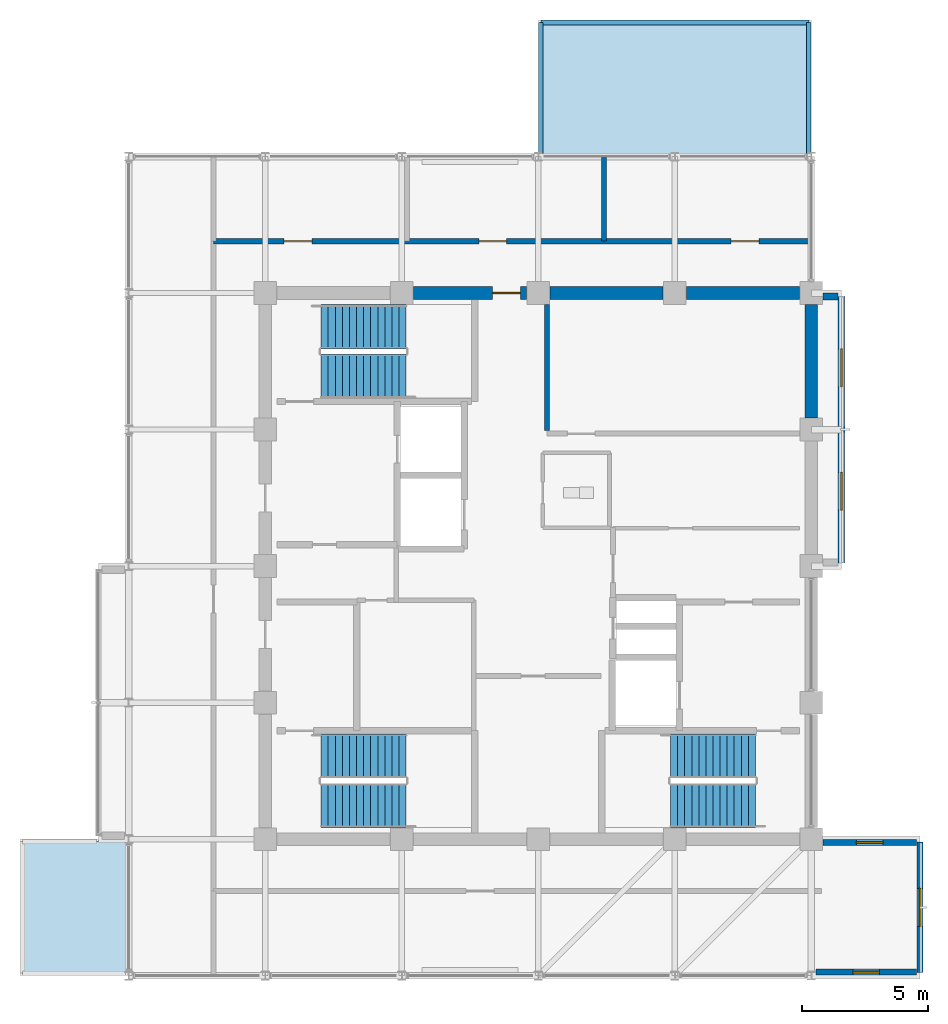
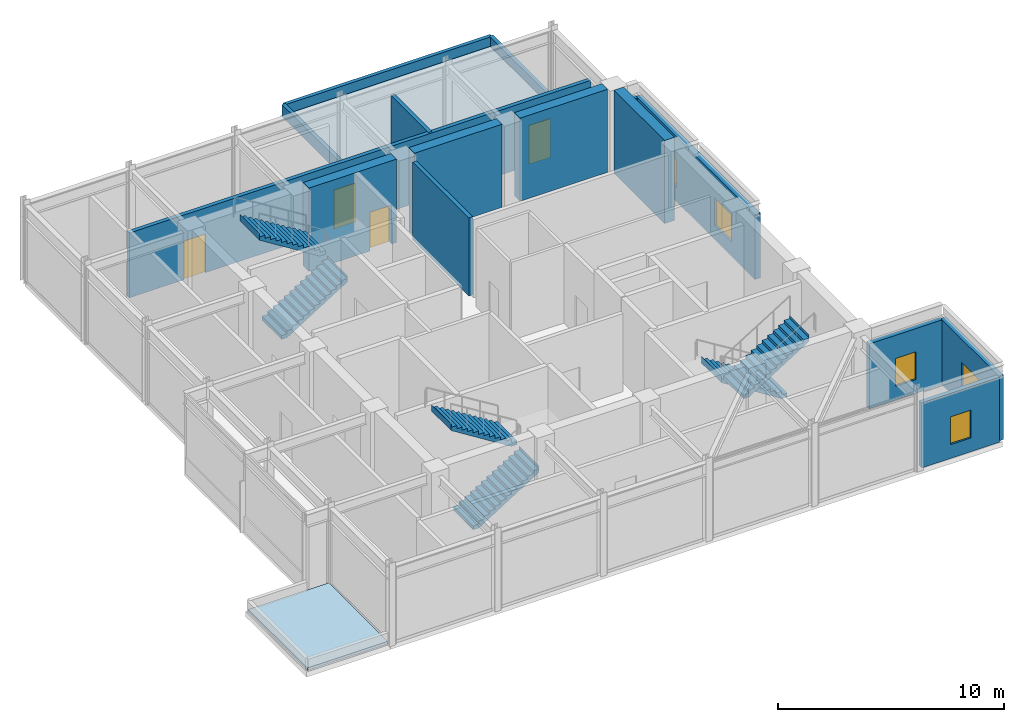
# One storey, part 15 of 18: 15 walls, 6 stair flights, 5 windows, 4 doors, 2 roofs, 9 openings, 3 elements without a shape of their own.
"""IFC4 building model written with IfcOpenShell, lengths in metres."""

from ifc_helpers import new_model, si_unit, direction, frame, frame_2d, origin, place, context, subcontext, project, spatial, polyline, rectangle, outline, extrude, material, layer, layer_set, type_object, element, fill, aggregate, save


model = new_model("IFC4")

# Units and contexts
model_context = context("Model", 3, precision=1e-05, world=origin(), true_north=direction((0.0, 1.0)))
body_context = subcontext(model_context, "Body", "Model", "MODEL_VIEW")
ifc_project = project(units=[si_unit("LENGTHUNIT", "METRE"), si_unit("AREAUNIT", "SQUARE_METRE"), si_unit("VOLUMEUNIT", "CUBIC_METRE"), si_unit("PLANEANGLEUNIT", "RADIAN"), si_unit("MASSUNIT", "GRAM", prefix="KILO")], contexts=[model_context])

# Site, building, storey
site_placement = place(None, origin())
site = spatial("IfcSite", under=ifc_project, at=site_placement, CompositionType="ELEMENT")
building_placement = place(site_placement, origin())
building = spatial("IfcBuilding", under=site, at=building_placement, Name="Surkhivell Harbour Commons", CompositionType="ELEMENT")
storey_placement = place(building_placement, frame((0.0, 0.0, 355.5)))
storey = spatial("IfcBuildingStorey", under=building, at=storey_placement, Name="L92", CompositionType="ELEMENT", Elevation=355.5)

# Wall, opening, door
ifc_material_1 = material(Name="Concrete C50/60", Category="concrete")
ifc_layer_1 = layer(ifc_material_1, 0.5)
ifc_layer_set_1 = layer_set([ifc_layer_1], Name="Concrete C50/60")
wall_type_1 = type_object("IfcWallType", Name="WAL-CORE-500", PredefinedType="SHEAR", material=ifc_layer_set_1)
wall_1_placement = place(storey_placement, frame((-4.93994140625, 10.800048828125, 0.0), z_axis=(0.0, 0.0, 1.0), x_axis=(1.0, 0.0, 0.0)))
wall_1 = element("IfcWall", 1, at=wall_1_placement, inside=storey, type_object=wall_type_1, Name="L92 Core Shear Wall North 2", PredefinedType="SHEAR", context=body_context, shape_type="SweptSolid", body=[
    extrude(rectangle(XDim=4.47998046875, YDim=0.5, at=frame_2d((2.239990234375, 0.0))), origin(), (0.0, 0.0, 1.0), 4.5),
])
opening_1_placement = place(wall_1_placement, frame((3.1298828125, 0.0, 0.0)))
opening_1 = element("IfcOpeningElement", 2, at=opening_1_placement, cuts=wall_1, Name="Opening ID-2", PredefinedType="OPENING", context=body_context, shape_type="SweptSolid", body=[
    extrude(rectangle(XDim=1.10009765625, YDim=2.10009765625, at=frame_2d((0.550048828125, 1.050048828125))), frame((0.0, 0.260009765625, 0.0), z_axis=(0.0, -1.0, 0.0), x_axis=(1.0, 0.0, 0.0)), (0.0, 0.0, 1.0), 0.52001953125),
])
ifc_material_2 = material(Name="Hardwood-veneered fire-rated door leaf", Category="wood")
door_type = type_object("IfcDoorType", Name="DOR-FD60-1100", OperationType="NOTDEFINED", PredefinedType="DOOR", material=ifc_material_2)
door_1_placement = place(opening_1_placement, origin())
door_1 = element("IfcDoor", 3, at=door_1_placement, inside=storey, type_object=door_type, Name="L92 Central Core Lift Hall North Corridor Door", OperationType="SINGLE_SWING_LEFT", OverallHeight=2.10009765625, OverallWidth=1.10009765625, PredefinedType="DOOR", context=body_context, shape_type="SweptSolid", body=[
    extrude(rectangle(XDim=1.10009765625, YDim=2.10009765625, at=frame_2d((0.550048828125, 1.050048828125))), frame((0.0, 0.02490234375, 0.0), z_axis=(0.0, -1.0, 0.0), x_axis=(1.0, 0.0, 0.0)), (0.0, 0.0, 1.0), 0.050048828125),
])
fill(opening_1, door_1)

# Walls
for number, where, z_axis, x_axis, name in (
    (4, (0.4599609375, 10.800048828125, 0.0), (0.0, 0.0, 1.0), (1.0, 0.0, 0.0), "L92 Core Shear Wall North 3"),
    (5, (5.860107421875, 10.800048828125, 0.0), (0.0, 0.0, 1.0), (1.0, 0.0, 0.0), "L92 Core Shear Wall North 4"),
    (6, (10.800048828125, 5.860107421875, 0.0), (0.0, 0.0, 1.0), (0.0, 1.0, 0.0), "L92 Core Shear Wall East 4"),
):
    element("IfcWall", number, at=place(storey_placement, frame(where, z_axis=z_axis, x_axis=x_axis)), inside=storey, type_object=wall_type_1, Name=name, PredefinedType="SHEAR", context=body_context, shape_type="SweptSolid", body=[
        extrude(rectangle(XDim=4.47998046875, YDim=0.5, at=frame_2d((2.239990234375, 0.0))), origin(), (0.0, 0.0, 1.0), 4.5),
    ])

# Wall, opening, window
ifc_material_3 = material(Name="Bronze-ochre cassette precast concrete C45/55", Category="concrete")
ifc_layer_2 = layer(ifc_material_3, 0.239990234375)
ifc_layer_set_2 = layer_set([ifc_layer_2], Name="Bronze-ochre cassette precast concrete C45/55")
wall_type_2 = type_object("IfcWallType", Name="WAL-EXT-OCH240", PredefinedType="STANDARD", material=ifc_layer_set_2)
wall_2_placement = place(storey_placement, frame((15.10009765625, -16.080078125, 0.0), z_axis=(0.0, 0.0, 1.0), x_axis=(0.0, 1.0, 0.0)))
wall_2 = element("IfcWall", 7, at=wall_2_placement, inside=storey, type_object=wall_type_2, Name="L92 Coloured Box Front Wall 01", PredefinedType="STANDARD", context=body_context, shape_type="SweptSolid", body=[
    extrude(rectangle(XDim=5.16015625, YDim=0.239990234375, at=frame_2d((2.580078125, 0.0))), origin(), (0.0, 0.0, 1.0), 3.507080078125),
])
opening_2_placement = place(wall_2_placement, frame((1.830078125, 0.0, 0.75)))
opening_2 = element("IfcOpeningElement", 8, at=opening_2_placement, cuts=wall_2, Name="Opening WN-13", PredefinedType="OPENING", context=body_context, shape_type="SweptSolid", body=[
    extrude(rectangle(XDim=1.5, YDim=1.5, at=frame_2d((0.75, 0.75))), frame((0.0, 0.1298828125, 0.0), z_axis=(0.0, -1.0, 0.0), x_axis=(1.0, 0.0, 0.0)), (0.0, 0.0, 1.0), 0.260009765625),
])
ifc_material_4 = material(Name="Thermal-break aluminium frame and double low-E glazing", Category="aluminium")
window_type_1 = type_object("IfcWindowType", Name="WIN-BOX-1500x1500", PartitioningType="SINGLE_PANEL", PredefinedType="WINDOW", material=ifc_material_4)
window_1_placement = place(opening_2_placement, origin())
window_1 = element("IfcWindow", 9, at=window_1_placement, inside=storey, type_object=window_type_1, Name="L92 Coloured Box Square Window 01-1", OverallHeight=1.5, OverallWidth=1.5, PartitioningType="SINGLE_PANEL", PredefinedType="WINDOW", context=body_context, shape_type="SweptSolid", body=[
    extrude(rectangle(XDim=1.5, YDim=1.5, at=frame_2d((0.75, 0.75))), frame((0.0, 0.030029296875, 0.0), z_axis=(0.0, -1.0, 0.0), x_axis=(1.0, 0.0, 0.0)), (0.0, 0.0, 1.0), 0.06005859375),
])
fill(opening_2, window_1)

wall_3_placement = place(storey_placement, frame((10.97412109375, -16.06005859375, 0.0), z_axis=(0.0, 0.0, 1.0), x_axis=(1.0, 0.0, 0.0)))
wall_3 = element("IfcWall", 10, at=wall_3_placement, inside=storey, type_object=wall_type_2, Name="L92 Coloured Box Return Wall 01S", PredefinedType="STANDARD", context=body_context, shape_type="SweptSolid", body=[
    extrude(rectangle(XDim=3.98583984375, YDim=0.239990234375, at=frame_2d((1.992919921875, 0.0))), origin(), (0.0, 0.0, 1.0), 3.507080078125),
])
opening_3_placement = place(wall_3_placement, frame((1.468017578125, 0.0, 0.75)))
opening_3 = element("IfcOpeningElement", 11, at=opening_3_placement, cuts=wall_3, Name="Opening WN-11", PredefinedType="OPENING", context=body_context, shape_type="SweptSolid", body=[
    extrude(rectangle(XDim=1.050048828125, YDim=1.5, at=frame_2d((0.52490234375, 0.75))), frame((0.0, 0.1298828125, 0.0), z_axis=(0.0, -1.0, 0.0), x_axis=(1.0, 0.0, 0.0)), (0.0, 0.0, 1.0), 0.260009765625),
])
window_type_2 = type_object("IfcWindowType", Name="WIN-SER-1050x1500", PartitioningType="SINGLE_PANEL", PredefinedType="WINDOW", material=ifc_material_4)
window_2_placement = place(opening_3_placement, origin())
window_2 = element("IfcWindow", 12, at=window_2_placement, inside=storey, type_object=window_type_2, Name="L92 Coloured Box Return Window 01S", OverallHeight=1.5, OverallWidth=1.050048828125, PartitioningType="SINGLE_PANEL", PredefinedType="WINDOW", context=body_context, shape_type="SweptSolid", body=[
    extrude(rectangle(XDim=1.050048828125, YDim=1.5, at=frame_2d((0.52490234375, 0.75))), frame((0.0, 0.030029296875, 0.0), z_axis=(0.0, -1.0, 0.0), x_axis=(1.0, 0.0, 0.0)), (0.0, 0.0, 1.0), 0.06005859375),
])
fill(opening_3, window_2)

wall_4_placement = place(storey_placement, frame((11.25390625, -10.93994140625, 0.0), z_axis=(0.0, 0.0, 1.0), x_axis=(1.0, 0.0, 0.0)))
wall_4 = element("IfcWall", 13, at=wall_4_placement, inside=storey, type_object=wall_type_2, Name="L92 Coloured Box Return Wall 01N", PredefinedType="STANDARD", context=body_context, shape_type="SweptSolid", body=[
    extrude(rectangle(XDim=3.7060546875, YDim=0.239990234375, at=frame_2d((1.85302734375, 0.0))), origin(), (0.0, 0.0, 1.0), 3.507080078125),
])
opening_4_placement = place(wall_4_placement, frame((1.327880859375, 0.0, 0.75)))
opening_4 = element("IfcOpeningElement", 14, at=opening_4_placement, cuts=wall_4, Name="Opening WN-11", PredefinedType="OPENING", context=body_context, shape_type="SweptSolid", body=[
    extrude(rectangle(XDim=1.050048828125, YDim=1.5, at=frame_2d((0.52490234375, 0.75))), frame((0.0, 0.1298828125, 0.0), z_axis=(0.0, -1.0, 0.0), x_axis=(1.0, 0.0, 0.0)), (0.0, 0.0, 1.0), 0.260009765625),
])
window_3_placement = place(opening_4_placement, origin())
window_3 = element("IfcWindow", 15, at=window_3_placement, inside=storey, type_object=window_type_2, Name="L92 Coloured Box Return Window 01N", OverallHeight=1.5, OverallWidth=1.050048828125, PartitioningType="SINGLE_PANEL", PredefinedType="WINDOW", context=body_context, shape_type="SweptSolid", body=[
    extrude(rectangle(XDim=1.050048828125, YDim=1.5, at=frame_2d((0.52490234375, 0.75))), frame((0.0, 0.030029296875, 0.0), z_axis=(0.0, -1.0, 0.0), x_axis=(1.0, 0.0, 0.0)), (0.0, 0.0, 1.0), 0.06005859375),
])
fill(opening_4, window_3)

# Wall, openings, windows
ifc_material_5 = material(Name="Terracotta-clad reinforced concrete C45/55", Category="masonry")
ifc_layer_3 = layer(ifc_material_5, 0.280029296875)
ifc_layer_set_3 = layer_set([ifc_layer_3], Name="Terracotta-clad reinforced concrete C45/55")
wall_type_3 = type_object("IfcWallType", Name="WAL-EXT-TER280", PredefinedType="STANDARD", material=ifc_layer_set_3)
wall_5_placement = place(storey_placement, frame((12.0, 0.1201171875, 0.0), z_axis=(0.0, 0.0, 1.0), x_axis=(0.0, 1.0, 0.0)))
wall_5 = element("IfcWall", 16, at=wall_5_placement, inside=storey, type_object=wall_type_3, Name="L92 Coloured Box Front Wall 02", PredefinedType="STANDARD", context=body_context, shape_type="SweptSolid", body=[
    extrude(rectangle(XDim=10.559814453125, YDim=0.280029296875, at=frame_2d((5.27978515625, 0.0))), origin(), (0.0, 0.0, 1.0), 3.507080078125),
])
opening_5_placement = place(wall_5_placement, frame((2.090087890625, 0.0, 0.75)))
opening_5 = element("IfcOpeningElement", 17, at=opening_5_placement, cuts=wall_5, Name="Opening WN-13", PredefinedType="OPENING", context=body_context, shape_type="SweptSolid", body=[
    extrude(rectangle(XDim=1.5, YDim=1.5, at=frame_2d((0.75, 0.75))), frame((0.0, 0.14990234375, 0.0), z_axis=(0.0, -1.0, 0.0), x_axis=(1.0, 0.0, 0.0)), (0.0, 0.0, 1.0), 0.300048828125),
])
opening_6_placement = place(wall_5_placement, frame((6.969970703125, 0.0, 0.75)))
opening_6 = element("IfcOpeningElement", 18, at=opening_6_placement, cuts=wall_5, Name="Opening WN-13", PredefinedType="OPENING", context=body_context, shape_type="SweptSolid", body=[
    extrude(rectangle(XDim=1.5, YDim=1.5, at=frame_2d((0.75, 0.75))), frame((0.0, 0.14990234375, 0.0), z_axis=(0.0, -1.0, 0.0), x_axis=(1.0, 0.0, 0.0)), (0.0, 0.0, 1.0), 0.300048828125),
])
window_4_placement = place(opening_5_placement, origin())
window_4 = element("IfcWindow", 19, at=window_4_placement, inside=storey, type_object=window_type_1, Name="L92 Coloured Box Square Window 02-1", OverallHeight=1.5, OverallWidth=1.5, PartitioningType="SINGLE_PANEL", PredefinedType="WINDOW", context=body_context, shape_type="SweptSolid", body=[
    extrude(rectangle(XDim=1.5, YDim=1.5, at=frame_2d((0.75, 0.75))), frame((0.0, 0.030029296875, 0.0), z_axis=(0.0, -1.0, 0.0), x_axis=(1.0, 0.0, 0.0)), (0.0, 0.0, 1.0), 0.06005859375),
])
fill(opening_5, window_4)
window_5_placement = place(opening_6_placement, origin())
window_5 = element("IfcWindow", 20, at=window_5_placement, inside=storey, type_object=window_type_1, Name="L92 Coloured Box Square Window 02-2", OverallHeight=1.5, OverallWidth=1.5, PartitioningType="SINGLE_PANEL", PredefinedType="WINDOW", context=body_context, shape_type="SweptSolid", body=[
    extrude(rectangle(XDim=1.5, YDim=1.5, at=frame_2d((0.75, 0.75))), frame((0.0, 0.030029296875, 0.0), z_axis=(0.0, -1.0, 0.0), x_axis=(1.0, 0.0, 0.0)), (0.0, 0.0, 1.0), 0.06005859375),
])
fill(opening_6, window_5)

# Walls
wall_6_placement = place(storey_placement, frame((11.25390625, 10.659912109375, 0.0), z_axis=(0.0, 0.0, 1.0), x_axis=(1.0, 0.0, 0.0)))
element("IfcWall", 21, at=wall_6_placement, inside=storey, type_object=wall_type_3, Name="L92 Coloured Box Return Wall 02N", PredefinedType="STANDARD", context=body_context, shape_type="SweptSolid", body=[
    extrude(rectangle(XDim=0.606201171875, YDim=0.280029296875, at=frame_2d((0.30322265625, 0.0))), origin(), (0.0, 0.0, 1.0), 3.507080078125),
])
ifc_material_6 = material(Name="Autoclaved aerated concrete blockwork and fire plaster", Category="masonry")
ifc_layer_4 = layer(ifc_material_6, 0.199951171875)
ifc_layer_set_4 = layer_set([ifc_layer_4], Name="Autoclaved aerated concrete blockwork and fire plaster")
wall_type_4 = type_object("IfcWallType", Name="WAL-INT-200", PredefinedType="PARTITIONING", material=ifc_layer_set_4)
wall_7_placement = place(storey_placement, frame((0.35009765625, 5.360107421875, 0.0), z_axis=(0.0, 0.0, 1.0), x_axis=(0.0, 1.0, 0.0)))
element("IfcWall", 22, at=wall_7_placement, inside=storey, type_object=wall_type_4, Name="L92 Reclaimed Core North Bay West Wall", PredefinedType="PARTITIONING", context=body_context, shape_type="SweptSolid", body=[
    extrude(rectangle(XDim=4.97998046875, YDim=0.199951171875, at=frame_2d((2.489990234375, 0.0))), origin(), (0.0, 0.0, 1.0), 4.219970703125),
])
wall_8_placement = place(storey_placement, frame((2.60009765625, 12.85009765625, 0.0), z_axis=(0.0, 0.0, 1.0), x_axis=(0.0, 1.0, 0.0)))
element("IfcWall", 23, at=wall_8_placement, inside=storey, type_object=wall_type_4, Name="L92 Cooling Bay Wall 2", PredefinedType="PARTITIONING", context=body_context, shape_type="SweptSolid", body=[
    extrude(rectangle(XDim=3.309814453125, YDim=0.199951171875, at=frame_2d((1.65478515625, 0.0))), origin(), (0.0, 0.0, 1.0), 3.507080078125),
])

# Wall, openings, doors
wall_9_placement = place(storey_placement, frame((-12.85009765625, 12.85009765625, 0.0), z_axis=(0.0, 0.0, 1.0), x_axis=(1.0, 0.0, 0.0)))
wall_9 = element("IfcWall", 24, at=wall_9_placement, inside=storey, type_object=wall_type_4, Name="L92 Crown Corridor North Wall", PredefinedType="PARTITIONING", context=body_context, shape_type="SweptSolid", body=[
    extrude(rectangle(XDim=23.610107421875, YDim=0.199951171875, at=frame_2d((11.80517578125, 0.0))), origin(), (0.0, 0.0, 1.0), 3.507080078125),
])
opening_7_placement = place(wall_9_placement, frame((2.800048828125, 0.0, 0.0)))
opening_7 = element("IfcOpeningElement", 25, at=opening_7_placement, cuts=wall_9, Name="Opening ID-2", PredefinedType="OPENING", context=body_context, shape_type="SweptSolid", body=[
    extrude(rectangle(XDim=1.10009765625, YDim=2.10009765625, at=frame_2d((0.550048828125, 1.050048828125))), frame((0.0, 0.10986328125, 0.0), z_axis=(0.0, -1.0, 0.0), x_axis=(1.0, 0.0, 0.0)), (0.0, 0.0, 1.0), 0.219970703125),
])
opening_8_placement = place(wall_9_placement, frame((10.5, 0.0, 0.0)))
opening_8 = element("IfcOpeningElement", 26, at=opening_8_placement, cuts=wall_9, Name="Opening ID-2", PredefinedType="OPENING", context=body_context, shape_type="SweptSolid", body=[
    extrude(rectangle(XDim=1.10009765625, YDim=2.10009765625, at=frame_2d((0.550048828125, 1.050048828125))), frame((0.0, 0.10986328125, 0.0), z_axis=(0.0, -1.0, 0.0), x_axis=(1.0, 0.0, 0.0)), (0.0, 0.0, 1.0), 0.219970703125),
])
opening_9_placement = place(wall_9_placement, frame((20.4814453125, 0.0, 0.0)))
opening_9 = element("IfcOpeningElement", 27, at=opening_9_placement, cuts=wall_9, Name="Opening ID-2", PredefinedType="OPENING", context=body_context, shape_type="SweptSolid", body=[
    extrude(rectangle(XDim=1.10009765625, YDim=2.10009765625, at=frame_2d((0.550048828125, 1.050048828125))), frame((0.0, 0.10986328125, 0.0), z_axis=(0.0, -1.0, 0.0), x_axis=(1.0, 0.0, 0.0)), (0.0, 0.0, 1.0), 0.219970703125),
])
door_2_placement = place(opening_7_placement, origin())
door_2 = element("IfcDoor", 28, at=door_2_placement, inside=storey, type_object=door_type, Name="L92 L92 Primary Cooling Tower Bay 1 Door", OperationType="SINGLE_SWING_RIGHT", OverallHeight=2.10009765625, OverallWidth=1.10009765625, PredefinedType="DOOR", context=body_context, shape_type="SweptSolid", body=[
    extrude(rectangle(XDim=1.10009765625, YDim=2.10009765625, at=frame_2d((0.550048828125, 1.050048828125))), frame((0.0, 0.02490234375, 0.0), z_axis=(0.0, -1.0, 0.0), x_axis=(1.0, 0.0, 0.0)), (0.0, 0.0, 1.0), 0.050048828125),
])
fill(opening_7, door_2)
door_3_placement = place(opening_8_placement, origin())
door_3 = element("IfcDoor", 29, at=door_3_placement, inside=storey, type_object=door_type, Name="L92 L92 Primary Cooling Tower Bay 2 Door", OperationType="SINGLE_SWING_LEFT", OverallHeight=2.10009765625, OverallWidth=1.10009765625, PredefinedType="DOOR", context=body_context, shape_type="SweptSolid", body=[
    extrude(rectangle(XDim=1.10009765625, YDim=2.10009765625, at=frame_2d((0.550048828125, 1.050048828125))), frame((0.0, 0.02490234375, 0.0), z_axis=(0.0, -1.0, 0.0), x_axis=(1.0, 0.0, 0.0)), (0.0, 0.0, 1.0), 0.050048828125),
])
fill(opening_8, door_3)
door_4_placement = place(opening_9_placement, origin())
door_4 = element("IfcDoor", 30, at=door_4_placement, inside=storey, type_object=door_type, Name="L92 L92 Heat Rejection Fan Hall Door", OperationType="SINGLE_SWING_RIGHT", OverallHeight=2.10009765625, OverallWidth=1.10009765625, PredefinedType="DOOR", context=body_context, shape_type="SweptSolid", body=[
    extrude(rectangle(XDim=1.10009765625, YDim=2.10009765625, at=frame_2d((0.550048828125, 1.050048828125))), frame((0.0, 0.02490234375, 0.0), z_axis=(0.0, -1.0, 0.0), x_axis=(1.0, 0.0, 0.0)), (0.0, 0.0, 1.0), 0.050048828125),
])
fill(opening_9, door_4)

# Walls
ifc_material_7 = material(Name="Anodised aluminium and precast concrete C40/50", Category="concrete")
ifc_layer_5 = layer(ifc_material_7, 0.18505859375)
ifc_layer_set_5 = layer_set([ifc_layer_5], Name="Anodised aluminium and precast concrete C40/50")
wall_type_5 = type_object("IfcWallType", Name="WAL-PAR-185", PredefinedType="PARAPET", material=ifc_layer_set_5)
wall_10_placement = place(storey_placement, frame((10.699951171875, 16.320068359375, 0.0), z_axis=(0.0, 0.0, 1.0), x_axis=(0.0, 1.0, 0.0)))
element("IfcWall", 31, at=wall_10_placement, inside=storey, type_object=wall_type_5, Name="L92 Box Roof Coping Parapet 1-1", PredefinedType="PARAPET", context=body_context, shape_type="SweptSolid", body=[
    extrude(rectangle(XDim=5.179931640625, YDim=0.18505859375, at=frame_2d((2.58984375, 0.0))), origin(), (0.0, 0.0, 1.0), 0.64990234375),
])
wall_11_placement = place(storey_placement, frame((10.699951171875, 21.5, 0.0), z_axis=(0.0, 0.0, 1.0), x_axis=(-1.0, 0.0, 0.0)))
element("IfcWall", 32, at=wall_11_placement, inside=storey, type_object=wall_type_5, Name="L92 Box Roof Coping Parapet 1-2", PredefinedType="PARAPET", context=body_context, shape_type="SweptSolid", body=[
    extrude(rectangle(XDim=10.599853515625, YDim=0.18505859375, at=frame_2d((5.2998046875, 0.0))), origin(), (0.0, 0.0, 1.0), 0.64990234375),
])
wall_12_placement = place(storey_placement, frame((0.10009765625, 21.5, 0.0), z_axis=(0.0, 0.0, 1.0), x_axis=(0.0, -1.0, 0.0)))
element("IfcWall", 33, at=wall_12_placement, inside=storey, type_object=wall_type_5, Name="L92 Box Roof Coping Parapet 1-3", PredefinedType="PARAPET", context=body_context, shape_type="SweptSolid", body=[
    extrude(rectangle(XDim=5.179931640625, YDim=0.18505859375, at=frame_2d((2.58984375, 0.0))), origin(), (0.0, 0.0, 1.0), 0.64990234375),
])

# Stair, stair flights
ifc_material_8 = material(Name="Precast concrete C45/55", Category="concrete")
stair_type = type_object("IfcStairType", Name="STR-DL-450", PredefinedType="HALF_TURN_STAIR", material=ifc_material_8)
stair_1_placement = place(storey_placement, origin())
stair_1 = element("IfcStair", 34, at=stair_1_placement, inside=storey, type_object=stair_type, Name="L92 Core Exit Stair ST1", PredefinedType="HALF_TURN_STAIR")
stair_flight_type = type_object("IfcStairFlightType", Name="STF-DL-450", PredefinedType="STRAIGHT", material=ifc_material_8)
stair_flight_1_placement = place(storey_placement, frame((-8.590087890625, 7.514892578125, 0.0), z_axis=(0.0, 0.0, 1.0), x_axis=(1.0, 0.0, 0.0)))
stair_flight_1 = element("IfcStairFlight", 35, at=stair_flight_1_placement, type_object=stair_flight_type, Name="ST1 flight 1", NumberOfRisers=13, NumberOfTreads=12, PredefinedType="STRAIGHT", RiserHeight=0.173076923, TreadLength=0.28, context=body_context, shape_type="SweptSolid", body=[
    extrude(outline(polyline([(-0.0029296875, -0.034912109375), (-0.0029296875, 0.0), (0.0, 0.0), (0.0, 0.173095703125), (0.280029296875, 0.173095703125), (0.280029296875, 0.34619140625), (0.56005859375, 0.34619140625), (0.56005859375, 0.519287109375), (0.840087890625, 0.519287109375), (0.840087890625, 0.6923828125), (1.1201171875, 0.6923828125), (1.1201171875, 0.865478515625), (1.39990234375, 0.865478515625), (1.39990234375, 1.03857421875), (1.679931640625, 1.03857421875), (1.679931640625, 1.21142578125), (1.9599609375, 1.21142578125), (1.9599609375, 1.384521484375), (2.239990234375, 1.384521484375), (2.239990234375, 1.5576171875), (2.52001953125, 1.5576171875), (2.52001953125, 1.730712890625), (2.800048828125, 1.730712890625), (2.800048828125, 1.90380859375), (3.080078125, 1.90380859375), (3.080078125, 2.076904296875), (3.360107421875, 2.076904296875), (3.360107421875, 2.25), (3.363037109375, 2.25), (3.363037109375, 1.900634765625), (0.28515625, -0.034912109375), (-0.0029296875, -0.034912109375)])), frame((0.0, 0.875, 0.0), z_axis=(0.0, -1.0, 0.0), x_axis=(1.0, 0.0, 0.0)), (0.0, 0.0, 1.0), 1.75),
])
stair_flight_2_placement = place(storey_placement, frame((-5.22998046875, 9.465087890625, 2.25), z_axis=(0.0, 0.0, 1.0), x_axis=(-1.0, 0.0, 0.0)))
stair_flight_2 = element("IfcStairFlight", 36, at=stair_flight_2_placement, type_object=stair_flight_type, Name="ST1 flight 2", NumberOfRisers=13, NumberOfTreads=12, PredefinedType="STRAIGHT", RiserHeight=0.173076923, TreadLength=0.28, context=body_context, shape_type="SweptSolid", body=[
    extrude(outline(polyline([(-0.0029296875, -0.034912109375), (-0.0029296875, 0.0), (0.0, 0.0), (0.0, 0.173095703125), (0.280029296875, 0.173095703125), (0.280029296875, 0.34619140625), (0.56005859375, 0.34619140625), (0.56005859375, 0.519287109375), (0.840087890625, 0.519287109375), (0.840087890625, 0.6923828125), (1.1201171875, 0.6923828125), (1.1201171875, 0.865478515625), (1.39990234375, 0.865478515625), (1.39990234375, 1.03857421875), (1.679931640625, 1.03857421875), (1.679931640625, 1.21142578125), (1.9599609375, 1.21142578125), (1.9599609375, 1.384521484375), (2.239990234375, 1.384521484375), (2.239990234375, 1.5576171875), (2.52001953125, 1.5576171875), (2.52001953125, 1.730712890625), (2.800048828125, 1.730712890625), (2.800048828125, 1.90380859375), (3.080078125, 1.90380859375), (3.080078125, 2.076904296875), (3.360107421875, 2.076904296875), (3.360107421875, 2.25), (3.363037109375, 2.25), (3.363037109375, 1.900634765625), (0.28515625, -0.034912109375), (-0.0029296875, -0.034912109375)])), frame((0.0, 0.875, 0.0), z_axis=(0.0, -1.0, 0.0), x_axis=(1.0, 0.0, 0.0)), (0.0, 0.0, 1.0), 1.75),
])
aggregate(stair_1, [stair_flight_1, stair_flight_2])

stair_2_placement = place(storey_placement, origin())
stair_2 = element("IfcStair", 37, at=stair_2_placement, inside=storey, type_object=stair_type, Name="L92 Core Exit Stair ST2", PredefinedType="HALF_TURN_STAIR")
stair_flight_3_placement = place(storey_placement, frame((8.590087890625, -7.514892578125, 0.0), z_axis=(0.0, 0.0, 1.0), x_axis=(-1.0, 0.0, 0.0)))
stair_flight_3 = element("IfcStairFlight", 38, at=stair_flight_3_placement, type_object=stair_flight_type, Name="ST2 flight 1", NumberOfRisers=13, NumberOfTreads=12, PredefinedType="STRAIGHT", RiserHeight=0.173076923, TreadLength=0.28, context=body_context, shape_type="SweptSolid", body=[
    extrude(outline(polyline([(-0.0029296875, -0.034912109375), (-0.0029296875, 0.0), (0.0, 0.0), (0.0, 0.173095703125), (0.280029296875, 0.173095703125), (0.280029296875, 0.34619140625), (0.56005859375, 0.34619140625), (0.56005859375, 0.519287109375), (0.840087890625, 0.519287109375), (0.840087890625, 0.6923828125), (1.1201171875, 0.6923828125), (1.1201171875, 0.865478515625), (1.39990234375, 0.865478515625), (1.39990234375, 1.03857421875), (1.679931640625, 1.03857421875), (1.679931640625, 1.21142578125), (1.9599609375, 1.21142578125), (1.9599609375, 1.384521484375), (2.239990234375, 1.384521484375), (2.239990234375, 1.5576171875), (2.52001953125, 1.5576171875), (2.52001953125, 1.730712890625), (2.800048828125, 1.730712890625), (2.800048828125, 1.90380859375), (3.080078125, 1.90380859375), (3.080078125, 2.076904296875), (3.360107421875, 2.076904296875), (3.360107421875, 2.25), (3.363037109375, 2.25), (3.363037109375, 1.900634765625), (0.28515625, -0.034912109375), (-0.0029296875, -0.034912109375)])), frame((0.0, 0.875, 0.0), z_axis=(0.0, -1.0, 0.0), x_axis=(1.0, 0.0, 0.0)), (0.0, 0.0, 1.0), 1.75),
])
stair_flight_4_placement = place(storey_placement, frame((5.22998046875, -9.465087890625, 2.25), z_axis=(0.0, 0.0, 1.0), x_axis=(1.0, 0.0, 0.0)))
stair_flight_4 = element("IfcStairFlight", 39, at=stair_flight_4_placement, type_object=stair_flight_type, Name="ST2 flight 2", NumberOfRisers=13, NumberOfTreads=12, PredefinedType="STRAIGHT", RiserHeight=0.173076923, TreadLength=0.28, context=body_context, shape_type="SweptSolid", body=[
    extrude(outline(polyline([(-0.0029296875, -0.034912109375), (-0.0029296875, 0.0), (0.0, 0.0), (0.0, 0.173095703125), (0.280029296875, 0.173095703125), (0.280029296875, 0.34619140625), (0.56005859375, 0.34619140625), (0.56005859375, 0.519287109375), (0.840087890625, 0.519287109375), (0.840087890625, 0.6923828125), (1.1201171875, 0.6923828125), (1.1201171875, 0.865478515625), (1.39990234375, 0.865478515625), (1.39990234375, 1.03857421875), (1.679931640625, 1.03857421875), (1.679931640625, 1.21142578125), (1.9599609375, 1.21142578125), (1.9599609375, 1.384521484375), (2.239990234375, 1.384521484375), (2.239990234375, 1.5576171875), (2.52001953125, 1.5576171875), (2.52001953125, 1.730712890625), (2.800048828125, 1.730712890625), (2.800048828125, 1.90380859375), (3.080078125, 1.90380859375), (3.080078125, 2.076904296875), (3.360107421875, 2.076904296875), (3.360107421875, 2.25), (3.363037109375, 2.25), (3.363037109375, 1.900634765625), (0.28515625, -0.034912109375), (-0.0029296875, -0.034912109375)])), frame((0.0, 0.875, 0.0), z_axis=(0.0, -1.0, 0.0), x_axis=(1.0, 0.0, 0.0)), (0.0, 0.0, 1.0), 1.75),
])
aggregate(stair_2, [stair_flight_3, stair_flight_4])

stair_3_placement = place(storey_placement, origin())
stair_3 = element("IfcStair", 40, at=stair_3_placement, inside=storey, type_object=stair_type, Name="L92 Core Exit Stair ST3", PredefinedType="HALF_TURN_STAIR")
stair_flight_5_placement = place(storey_placement, frame((-8.590087890625, -9.465087890625, 0.0), z_axis=(0.0, 0.0, 1.0), x_axis=(1.0, 0.0, 0.0)))
stair_flight_5 = element("IfcStairFlight", 41, at=stair_flight_5_placement, type_object=stair_flight_type, Name="ST3 flight 1", NumberOfRisers=13, NumberOfTreads=12, PredefinedType="STRAIGHT", RiserHeight=0.173076923, TreadLength=0.28, context=body_context, shape_type="SweptSolid", body=[
    extrude(outline(polyline([(-0.0029296875, -0.034912109375), (-0.0029296875, 0.0), (0.0, 0.0), (0.0, 0.173095703125), (0.280029296875, 0.173095703125), (0.280029296875, 0.34619140625), (0.56005859375, 0.34619140625), (0.56005859375, 0.519287109375), (0.840087890625, 0.519287109375), (0.840087890625, 0.6923828125), (1.1201171875, 0.6923828125), (1.1201171875, 0.865478515625), (1.39990234375, 0.865478515625), (1.39990234375, 1.03857421875), (1.679931640625, 1.03857421875), (1.679931640625, 1.21142578125), (1.9599609375, 1.21142578125), (1.9599609375, 1.384521484375), (2.239990234375, 1.384521484375), (2.239990234375, 1.5576171875), (2.52001953125, 1.5576171875), (2.52001953125, 1.730712890625), (2.800048828125, 1.730712890625), (2.800048828125, 1.90380859375), (3.080078125, 1.90380859375), (3.080078125, 2.076904296875), (3.360107421875, 2.076904296875), (3.360107421875, 2.25), (3.363037109375, 2.25), (3.363037109375, 1.900634765625), (0.28515625, -0.034912109375), (-0.0029296875, -0.034912109375)])), frame((0.0, 0.875, 0.0), z_axis=(0.0, -1.0, 0.0), x_axis=(1.0, 0.0, 0.0)), (0.0, 0.0, 1.0), 1.75),
])
stair_flight_6_placement = place(storey_placement, frame((-5.22998046875, -7.514892578125, 2.25), z_axis=(0.0, 0.0, 1.0), x_axis=(-1.0, 0.0, 0.0)))
stair_flight_6 = element("IfcStairFlight", 42, at=stair_flight_6_placement, type_object=stair_flight_type, Name="ST3 flight 2", NumberOfRisers=13, NumberOfTreads=12, PredefinedType="STRAIGHT", RiserHeight=0.173076923, TreadLength=0.28, context=body_context, shape_type="SweptSolid", body=[
    extrude(outline(polyline([(-0.0029296875, -0.034912109375), (-0.0029296875, 0.0), (0.0, 0.0), (0.0, 0.173095703125), (0.280029296875, 0.173095703125), (0.280029296875, 0.34619140625), (0.56005859375, 0.34619140625), (0.56005859375, 0.519287109375), (0.840087890625, 0.519287109375), (0.840087890625, 0.6923828125), (1.1201171875, 0.6923828125), (1.1201171875, 0.865478515625), (1.39990234375, 0.865478515625), (1.39990234375, 1.03857421875), (1.679931640625, 1.03857421875), (1.679931640625, 1.21142578125), (1.9599609375, 1.21142578125), (1.9599609375, 1.384521484375), (2.239990234375, 1.384521484375), (2.239990234375, 1.5576171875), (2.52001953125, 1.5576171875), (2.52001953125, 1.730712890625), (2.800048828125, 1.730712890625), (2.800048828125, 1.90380859375), (3.080078125, 1.90380859375), (3.080078125, 2.076904296875), (3.360107421875, 2.076904296875), (3.360107421875, 2.25), (3.363037109375, 2.25), (3.363037109375, 1.900634765625), (0.28515625, -0.034912109375), (-0.0029296875, -0.034912109375)])), frame((0.0, 0.875, 0.0), z_axis=(0.0, -1.0, 0.0), x_axis=(1.0, 0.0, 0.0)), (0.0, 0.0, 1.0), 1.75),
])
aggregate(stair_3, [stair_flight_5, stair_flight_6])

# Roofs
ifc_material_9 = material(Name="Vermilion-coral and saffron enamelled aluminium box roof cap", Category="aluminium")
ifc_layer_6 = layer(ifc_material_9, 0.139892578125)
ifc_layer_set_6 = layer_set([ifc_layer_6], Name="Vermilion-coral and saffron enamelled aluminium box roof cap")
roof_type = type_object("IfcRoofType", Name="ROF-BOX-CAP", PredefinedType="FLAT_ROOF", material=ifc_layer_set_6)
roof_1_placement = place(storey_placement, origin())
element("IfcRoof", 43, at=roof_1_placement, inside=storey, type_object=roof_type, Name="L92 Closed Coloured Box Roof Cap 1-1", PredefinedType="FLAT_ROOF", context=body_context, shape_type="SweptSolid", body=[
    extrude(outline(polyline([(10.719970703125, 16.300048828125), (10.719970703125, 21.52001953125), (0.080078125, 21.52001953125), (0.080078125, 16.300048828125), (10.719970703125, 16.300048828125)])), origin(), (0.0, 0.0, 1.0), 0.139892578125),
])
roof_2_placement = place(storey_placement, origin())
element("IfcRoof", 44, at=roof_2_placement, inside=storey, type_object=roof_type, Name="L92 Closed Coloured Box Roof Cap 2-1", PredefinedType="FLAT_ROOF", context=body_context, shape_type="SweptSolid", body=[
    extrude(outline(polyline([(-20.419921875, -10.8798828125), (-20.419921875, -16.1201171875), (-16.300048828125, -16.1201171875), (-16.300048828125, -10.89990234375), (-17.402099609375, -10.89990234375), (-17.409912109375, -10.899658203125), (-17.41943359375, -10.898193359375), (-17.42919921875, -10.895751953125), (-17.438232421875, -10.892578125), (-17.447265625, -10.88818359375), (-17.45556640625, -10.88330078125), (-17.4599609375, -10.8798828125), (-20.419921875, -10.8798828125)])), origin(), (0.0, 0.0, 1.0), 0.139892578125),
])

save(model, "model.ifc")
